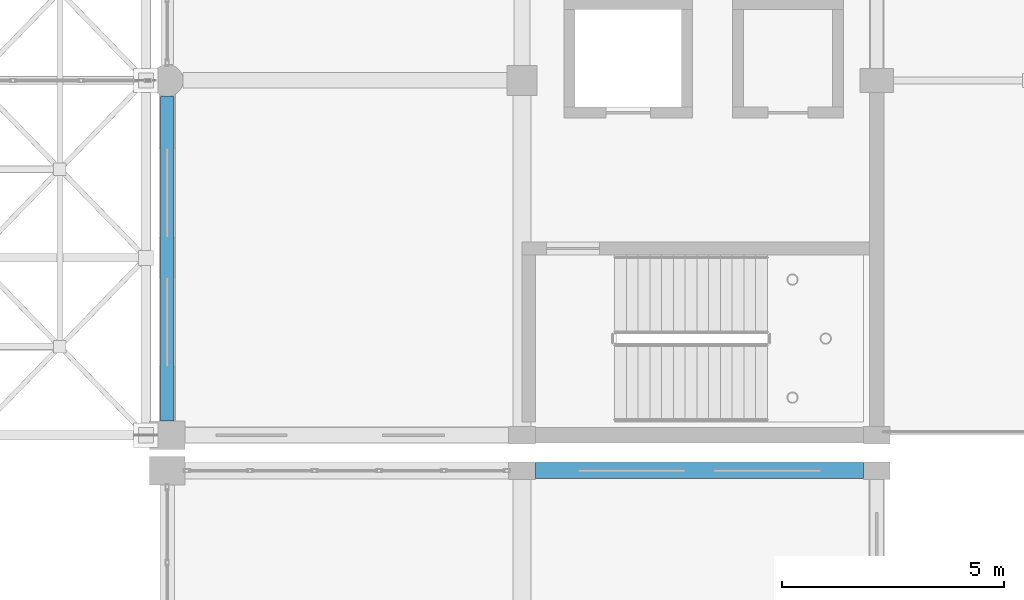
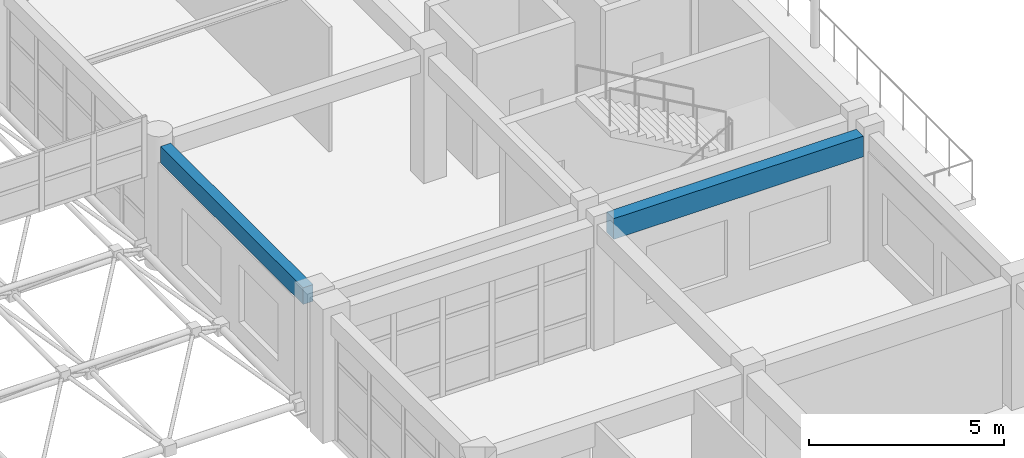
# One storey, part 64 of 195: 2 beams.
"""IFC4 building model written with IfcOpenShell, lengths in metres."""

from ifc_helpers import new_model, si_unit, direction, frame, origin, origin_2d, place, context, subcontext, project, spatial, rectangle, extrude, material, material_profile, profile_set, type_object, element, save


model = new_model("IFC4")

# Units and contexts
model_context = context("Model", 3, precision=1e-05, world=origin(), true_north=direction((0.0, 1.0)))
body_context = subcontext(model_context, "Body", "Model", "MODEL_VIEW")
ifc_project = project(units=[si_unit("LENGTHUNIT", "METRE"), si_unit("AREAUNIT", "SQUARE_METRE"), si_unit("VOLUMEUNIT", "CUBIC_METRE"), si_unit("PLANEANGLEUNIT", "RADIAN"), si_unit("MASSUNIT", "GRAM", prefix="KILO")], contexts=[model_context])

# Site, building, storey
site_placement = place(None, origin())
site = spatial("IfcSite", under=ifc_project, at=site_placement, CompositionType="ELEMENT")
building_placement = place(site_placement, origin())
building = spatial("IfcBuilding", under=site, at=building_placement, Name="Kharva Crest Polytechnic", CompositionType="ELEMENT")
storey_placement = place(building_placement, frame((0.0, 0.0, 9.0)))
storey = spatial("IfcBuildingStorey", under=building, at=storey_placement, Name="L02", CompositionType="ELEMENT", Elevation=9.0)

# Beams
ifc_material = material(Name="Concrete C35/45", Category="concrete")
ifc_material_profile_1 = material_profile(ifc_material, rectangle(XDim=0.300048828125, YDim=0.52001953125, at=origin_2d()), Name="RECT 300 X 520")
ifc_profile_set_1 = profile_set([ifc_material_profile_1], Name="Concrete C35/45")
beam_type_1 = type_object("IfcBeamType", Name="SP-RC-300X520", PredefinedType="SPANDREL", material=ifc_profile_set_1)
beam_1_placement = place(storey_placement, frame((32.0, 39.125, 3.659912109375), z_axis=(0.0, 1.0, 0.0), x_axis=(-1.0, 0.0, 0.0)))
element("IfcBeam", 1, at=beam_1_placement, inside=storey, type_object=beam_type_1, Name="L02 Girder 5/FJ-G", PredefinedType="SPANDREL", context=body_context, shape_type="SweptSolid", body=[
    extrude(rectangle(XDim=0.300048828125, YDim=0.52001953125, at=origin_2d()), origin(), (0.0, 0.0, 1.0), 7.31494140625),
])
ifc_material_profile_2 = material_profile(ifc_material, rectangle(XDim=0.360107421875, YDim=0.64990234375, at=origin_2d()), Name="RECT 360 X 650")
ifc_profile_set_2 = profile_set([ifc_material_profile_2], Name="Concrete C35/45")
beam_type_2 = type_object("IfcBeamType", Name="SP-RC-360X650", PredefinedType="SPANDREL", material=ifc_profile_set_2)
beam_2_placement = place(storey_placement, frame((40.300048828125, 38.0, 3.594970703125), z_axis=(1.0, 0.0, 0.0), x_axis=(0.0, 1.0, 0.0)))
element("IfcBeam", 2, at=beam_2_placement, inside=storey, type_object=beam_type_2, Name="L02 Beam F/6-7", PredefinedType="SPANDREL", context=body_context, shape_type="SweptSolid", body=[
    extrude(rectangle(XDim=0.360107421875, YDim=0.64990234375, at=origin_2d()), origin(), (0.0, 0.0, 1.0), 7.39990234375),
])

save(model, "model.ifc")
